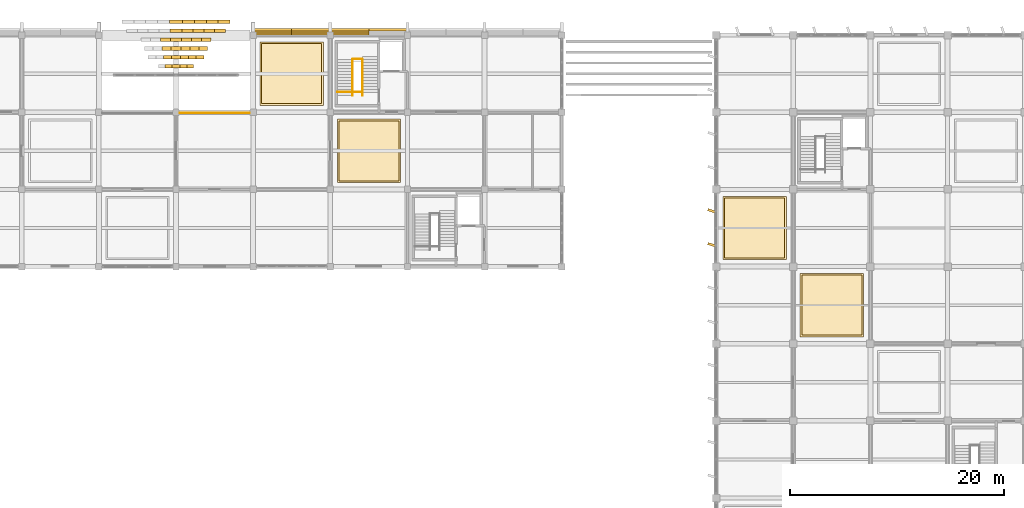
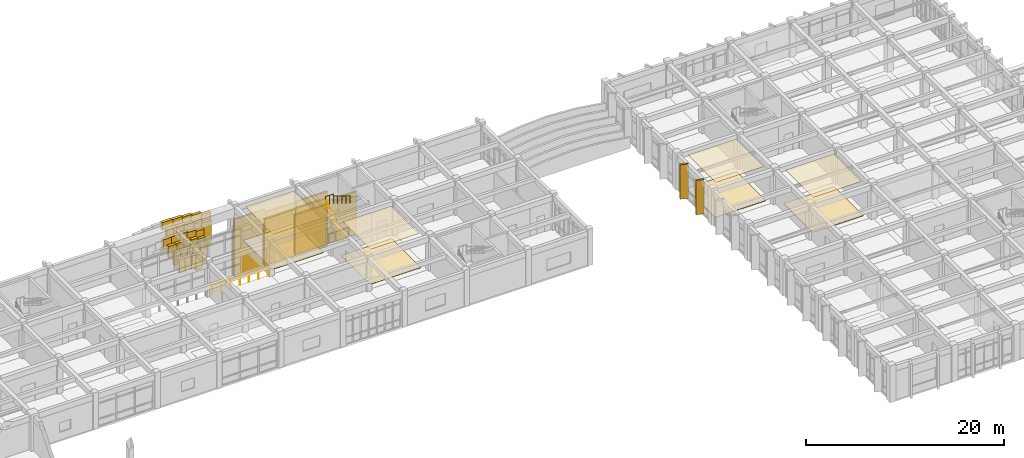
# One storey, part 78 of 81: 49 coverings, 5 railings.
"""IFC4 building model written with IfcOpenShell, lengths in metres."""

from ifc_helpers import new_model, si_unit, direction, frame, origin, origin_2d, place, context, subcontext, project, spatial, polyline, rectangle, circle, outline, extrude, material, layer, layer_set, type_object, element, save


model = new_model("IFC4")

# Units and contexts
model_context = context("Model", 3, precision=1e-05, world=origin(), true_north=direction((0.0, 1.0)))
body_context = subcontext(model_context, "Body", "Model", "MODEL_VIEW")
ifc_project = project(units=[si_unit("LENGTHUNIT", "METRE"), si_unit("AREAUNIT", "SQUARE_METRE"), si_unit("VOLUMEUNIT", "CUBIC_METRE"), si_unit("PLANEANGLEUNIT", "RADIAN"), si_unit("MASSUNIT", "GRAM", prefix="KILO")], contexts=[model_context])

# Site, building, storey
site_placement = place(None, origin())
site = spatial("IfcSite", under=ifc_project, at=site_placement, CompositionType="ELEMENT")
building_placement = place(site_placement, origin())
building = spatial("IfcBuilding", under=site, at=building_placement, Name="Kavelor Marine Aquarium", CompositionType="ELEMENT")
storey_placement = place(building_placement, frame((0.0, 0.0, 4.679931640625)))
storey = spatial("IfcBuildingStorey", under=building, at=storey_placement, Name="L01", CompositionType="ELEMENT", Elevation=4.679931640625)

# Coverings
ifc_material_1 = material(Name="Concrete C45/55", Category="concrete")
ifc_layer_1 = layer(ifc_material_1, 0.300048828125)
ifc_layer_set_1 = layer_set([ifc_layer_1], Name="COV-BND1")
covering_type_1 = type_object("IfcCoveringType", Name="COV-BND1", PredefinedType="CLADDING", material=ifc_layer_set_1)
covering_1_placement = place(storey_placement, frame((0.0, 0.0, 3.170166015625)))
element("IfcCovering", 1, at=covering_1_placement, inside=storey, type_object=covering_type_1, Name="arch:north:1:seg:05", PredefinedType="CLADDING", context=body_context, shape_type="SweptSolid", body=[
    extrude(outline(polyline([(67.385498046875, 111.8701171875), (68.614501953125, 111.8701171875), (68.614501953125, 112.2099609375), (67.385498046875, 112.2099609375), (67.385498046875, 111.8701171875)])), origin(), (0.0, 0.0, 1.0), 0.929931640625),
])
covering_2_placement = place(storey_placement, frame((0.0, 0.0, 2.994873046875)))
element("IfcCovering", 2, at=covering_2_placement, inside=storey, type_object=covering_type_1, Name="arch:north:1:seg:06", PredefinedType="CLADDING", context=body_context, shape_type="SweptSolid", body=[
    extrude(outline(polyline([(68.494384765625, 111.8701171875), (69.7236328125, 111.8701171875), (69.7236328125, 112.2099609375), (68.494384765625, 112.2099609375), (68.494384765625, 111.8701171875)])), origin(), (0.0, 0.0, 1.0), 1.067138671875),
])
covering_3_placement = place(storey_placement, frame((0.0, 0.0, 2.46923828125)))
element("IfcCovering", 3, at=covering_3_placement, inside=storey, type_object=covering_type_1, Name="arch:north:1:seg:07", PredefinedType="CLADDING", context=body_context, shape_type="SweptSolid", body=[
    extrude(outline(polyline([(69.603515625, 111.8701171875), (70.832763671875, 111.8701171875), (70.832763671875, 112.2099609375), (69.603515625, 112.2099609375), (69.603515625, 111.8701171875)])), origin(), (0.0, 0.0, 1.0), 1.478759765625),
])
covering_4_placement = place(storey_placement, frame((0.0, 0.0, 1.59326171875)))
element("IfcCovering", 4, at=covering_4_placement, inside=storey, type_object=covering_type_1, Name="arch:north:1:seg:08", PredefinedType="CLADDING", context=body_context, shape_type="SweptSolid", body=[
    extrude(outline(polyline([(70.712646484375, 111.8701171875), (71.94189453125, 111.8701171875), (71.94189453125, 112.2099609375), (70.712646484375, 112.2099609375), (70.712646484375, 111.8701171875)])), origin(), (0.0, 0.0, 1.0), 2.164794921875),
])
covering_5_placement = place(storey_placement, frame((0.0, 0.0, 0.36669921875)))
element("IfcCovering", 5, at=covering_5_placement, inside=storey, type_object=covering_type_1, Name="arch:north:1:seg:09", PredefinedType="CLADDING", context=body_context, shape_type="SweptSolid", body=[
    extrude(outline(polyline([(71.82177734375, 111.8701171875), (73.05078125, 111.8701171875), (73.05078125, 112.2099609375), (71.82177734375, 112.2099609375), (71.82177734375, 111.8701171875)])), origin(), (0.0, 0.0, 1.0), 3.125),
])
ifc_material_2 = material(Name="Concrete C45/55", Category="concrete")
ifc_layer_2 = layer(ifc_material_2, 0.320068359375)
ifc_layer_set_2 = layer_set([ifc_layer_2], Name="COV-BND2")
covering_type_2 = type_object("IfcCoveringType", Name="COV-BND2", PredefinedType="CLADDING", material=ifc_layer_set_2)
covering_6_placement = place(storey_placement, frame((0.0, 0.0, 2.670166015625)))
element("IfcCovering", 6, at=covering_6_placement, inside=storey, type_object=covering_type_2, Name="arch:north:2:seg:05", PredefinedType="CLADDING", context=body_context, shape_type="SweptSolid", body=[
    extrude(outline(polyline([(67.4326171875, 111.0400390625), (68.5673828125, 111.0400390625), (68.5673828125, 111.3798828125), (67.4326171875, 111.3798828125), (67.4326171875, 111.0400390625)])), origin(), (0.0, 0.0, 1.0), 1.0498046875),
])
covering_7_placement = place(storey_placement, frame((0.0, 0.0, 2.5068359375)))
element("IfcCovering", 7, at=covering_7_placement, inside=storey, type_object=covering_type_2, Name="arch:north:2:seg:06", PredefinedType="CLADDING", context=body_context, shape_type="SweptSolid", body=[
    extrude(outline(polyline([(68.447265625, 111.0400390625), (69.581787109375, 111.0400390625), (69.581787109375, 111.3798828125), (68.447265625, 111.3798828125), (68.447265625, 111.0400390625)])), origin(), (0.0, 0.0, 1.0), 1.17529296875),
])
covering_8_placement = place(storey_placement, frame((0.0, 0.0, 2.016845703125)))
element("IfcCovering", 8, at=covering_8_placement, inside=storey, type_object=covering_type_2, Name="arch:north:2:seg:07", PredefinedType="CLADDING", context=body_context, shape_type="SweptSolid", body=[
    extrude(outline(polyline([(69.4619140625, 111.0400390625), (70.596435546875, 111.0400390625), (70.596435546875, 111.3798828125), (69.4619140625, 111.3798828125), (69.4619140625, 111.0400390625)])), origin(), (0.0, 0.0, 1.0), 1.551025390625),
])
covering_9_placement = place(storey_placement, frame((0.0, 0.0, 1.2001953125)))
element("IfcCovering", 9, at=covering_9_placement, inside=storey, type_object=covering_type_2, Name="arch:north:2:seg:08", PredefinedType="CLADDING", context=body_context, shape_type="SweptSolid", body=[
    extrude(outline(polyline([(70.476318359375, 111.0400390625), (71.61083984375, 111.0400390625), (71.61083984375, 111.3798828125), (70.476318359375, 111.3798828125), (70.476318359375, 111.0400390625)])), origin(), (0.0, 0.0, 1.0), 2.177734375),
])
covering_10_placement = place(storey_placement, frame((0.0, 0.0, 0.05712890625)))
element("IfcCovering", 10, at=covering_10_placement, inside=storey, type_object=covering_type_2, Name="arch:north:2:seg:09", PredefinedType="CLADDING", context=body_context, shape_type="SweptSolid", body=[
    extrude(outline(polyline([(71.490966796875, 111.0400390625), (72.62548828125, 111.0400390625), (72.62548828125, 111.3798828125), (71.490966796875, 111.3798828125), (71.490966796875, 111.0400390625)])), origin(), (0.0, 0.0, 1.0), 3.0546875),
])
ifc_material_3 = material(Name="Concrete C45/55", Category="concrete")
ifc_layer_3 = layer(ifc_material_3, 0.340087890625)
ifc_layer_set_3 = layer_set([ifc_layer_3], Name="COV-BND3")
covering_type_3 = type_object("IfcCoveringType", Name="COV-BND3", PredefinedType="CLADDING", material=ifc_layer_set_3)
covering_11_placement = place(storey_placement, frame((0.0, 0.0, 2.0185546875)))
element("IfcCovering", 11, at=covering_11_placement, inside=storey, type_object=covering_type_3, Name="arch:north:3:seg:04", PredefinedType="CLADDING", context=body_context, shape_type="SweptSolid", body=[
    extrude(outline(polyline([(66.56005859375, 110.2099609375), (67.60009765625, 110.2099609375), (67.60009765625, 110.550048828125), (66.56005859375, 110.550048828125), (66.56005859375, 110.2099609375)])), origin(), (0.0, 0.0, 1.0), 1.283447265625),
])
covering_12_placement = place(storey_placement, frame((0.0, 0.0, 2.170166015625)))
element("IfcCovering", 12, at=covering_12_placement, inside=storey, type_object=covering_type_3, Name="arch:north:3:seg:05", PredefinedType="CLADDING", context=body_context, shape_type="SweptSolid", body=[
    extrude(outline(polyline([(67.47998046875, 110.2099609375), (68.52001953125, 110.2099609375), (68.52001953125, 110.550048828125), (67.47998046875, 110.550048828125), (67.47998046875, 110.2099609375)])), origin(), (0.0, 0.0, 1.0), 1.169921875),
])
covering_13_placement = place(storey_placement, frame((0.0, 0.0, 2.0185546875)))
element("IfcCovering", 13, at=covering_13_placement, inside=storey, type_object=covering_type_3, Name="arch:north:3:seg:06", PredefinedType="CLADDING", context=body_context, shape_type="SweptSolid", body=[
    extrude(outline(polyline([(68.39990234375, 110.2099609375), (69.43994140625, 110.2099609375), (69.43994140625, 110.550048828125), (68.39990234375, 110.550048828125), (68.39990234375, 110.2099609375)])), origin(), (0.0, 0.0, 1.0), 1.283447265625),
])
covering_14_placement = place(storey_placement, frame((0.0, 0.0, 1.564453125)))
element("IfcCovering", 14, at=covering_14_placement, inside=storey, type_object=covering_type_3, Name="arch:north:3:seg:07", PredefinedType="CLADDING", context=body_context, shape_type="SweptSolid", body=[
    extrude(outline(polyline([(69.320068359375, 110.2099609375), (70.360107421875, 110.2099609375), (70.360107421875, 110.550048828125), (69.320068359375, 110.550048828125), (69.320068359375, 110.2099609375)])), origin(), (0.0, 0.0, 1.0), 1.62353515625),
])
covering_15_placement = place(storey_placement, frame((0.0, 0.0, 0.807373046875)))
element("IfcCovering", 15, at=covering_15_placement, inside=storey, type_object=covering_type_3, Name="arch:north:3:seg:08", PredefinedType="CLADDING", context=body_context, shape_type="SweptSolid", body=[
    extrude(outline(polyline([(70.239990234375, 110.2099609375), (71.280029296875, 110.2099609375), (71.280029296875, 110.550048828125), (70.239990234375, 110.550048828125), (70.239990234375, 110.2099609375)])), origin(), (0.0, 0.0, 1.0), 2.190673828125),
])
ifc_material_4 = material(Name="Concrete C45/55", Category="concrete")
ifc_layer_4 = layer(ifc_material_4, 0.360107421875)
ifc_layer_set_4 = layer_set([ifc_layer_4], Name="COV-BND4")
covering_type_4 = type_object("IfcCoveringType", Name="COV-BND4", PredefinedType="CLADDING", material=ifc_layer_set_4)
covering_16_placement = place(storey_placement, frame((0.0, 0.0, -4.679931640625)))
element("IfcCovering", 16, at=covering_16_placement, inside=storey, type_object=covering_type_4, Name="band:north:4:r:00", PredefinedType="CLADDING", context=body_context, shape_type="SweptSolid", body=[
    extrude(outline(polyline([(75.199951171875, 111.18994140625), (78.800048828125, 111.18994140625), (78.800048828125, 111.409912109375), (75.199951171875, 111.409912109375), (75.199951171875, 111.18994140625)])), origin(), (0.0, 0.0, 1.0), 5.20068359375),
])
covering_17_placement = place(storey_placement, frame((0.0, 0.0, -4.679931640625)))
element("IfcCovering", 17, at=covering_17_placement, inside=storey, type_object=covering_type_4, Name="band:north:4:r:01", PredefinedType="CLADDING", context=body_context, shape_type="SweptSolid", body=[
    extrude(outline(polyline([(78.800048828125, 111.18994140625), (82.39990234375, 111.18994140625), (82.39990234375, 111.409912109375), (78.800048828125, 111.409912109375), (78.800048828125, 111.18994140625)])), origin(), (0.0, 0.0, 1.0), 4.8076171875),
])
covering_18_placement = place(storey_placement, frame((0.0, 0.0, -4.679931640625)))
element("IfcCovering", 18, at=covering_18_placement, inside=storey, type_object=covering_type_4, Name="band:north:4:r:02", PredefinedType="CLADDING", context=body_context, shape_type="SweptSolid", body=[
    extrude(outline(polyline([(82.39990234375, 111.18994140625), (86.0, 111.18994140625), (86.0, 111.409912109375), (82.39990234375, 111.409912109375), (82.39990234375, 111.18994140625)])), origin(), (0.0, 0.0, 1.0), 4.88037109375),
])
covering_19_placement = place(storey_placement, frame((0.0, 0.0, -4.679931640625)))
element("IfcCovering", 19, at=covering_19_placement, inside=storey, type_object=covering_type_4, Name="band:north:4:r:03", PredefinedType="CLADDING", context=body_context, shape_type="SweptSolid", body=[
    extrude(outline(polyline([(86.0, 111.18994140625), (89.60009765625, 111.18994140625), (89.60009765625, 111.409912109375), (86.0, 111.409912109375), (86.0, 111.18994140625)])), origin(), (0.0, 0.0, 1.0), 5.291015625),
])
covering_20_placement = place(storey_placement, frame((0.0, 0.0, 1.530517578125)))
element("IfcCovering", 20, at=covering_20_placement, inside=storey, type_object=covering_type_4, Name="arch:north:4:seg:04", PredefinedType="CLADDING", context=body_context, shape_type="SweptSolid", body=[
    extrude(outline(polyline([(66.701904296875, 109.3798828125), (67.647216796875, 109.3798828125), (67.647216796875, 109.719970703125), (66.701904296875, 109.719970703125), (66.701904296875, 109.3798828125)])), origin(), (0.0, 0.0, 1.0), 1.3916015625),
])
covering_21_placement = place(storey_placement, frame((0.0, 0.0, 1.670166015625)))
element("IfcCovering", 21, at=covering_21_placement, inside=storey, type_object=covering_type_4, Name="arch:north:4:seg:05", PredefinedType="CLADDING", context=body_context, shape_type="SweptSolid", body=[
    extrude(outline(polyline([(67.52734375, 109.3798828125), (68.47265625, 109.3798828125), (68.47265625, 109.719970703125), (67.52734375, 109.719970703125), (67.52734375, 109.3798828125)])), origin(), (0.0, 0.0, 1.0), 1.289794921875),
])
covering_22_placement = place(storey_placement, frame((0.0, 0.0, 1.530517578125)))
element("IfcCovering", 22, at=covering_22_placement, inside=storey, type_object=covering_type_4, Name="arch:north:4:seg:06", PredefinedType="CLADDING", context=body_context, shape_type="SweptSolid", body=[
    extrude(outline(polyline([(68.352783203125, 109.3798828125), (69.298095703125, 109.3798828125), (69.298095703125, 109.719970703125), (68.352783203125, 109.719970703125), (68.352783203125, 109.3798828125)])), origin(), (0.0, 0.0, 1.0), 1.3916015625),
])
covering_23_placement = place(storey_placement, frame((0.0, 0.0, 1.112060546875)))
element("IfcCovering", 23, at=covering_23_placement, inside=storey, type_object=covering_type_4, Name="arch:north:4:seg:07", PredefinedType="CLADDING", context=body_context, shape_type="SweptSolid", body=[
    extrude(outline(polyline([(69.17822265625, 109.3798828125), (70.12353515625, 109.3798828125), (70.12353515625, 109.719970703125), (69.17822265625, 109.719970703125), (69.17822265625, 109.3798828125)])), origin(), (0.0, 0.0, 1.0), 1.69580078125),
])
covering_24_placement = place(storey_placement, frame((0.0, 0.0, 0.41455078125)))
element("IfcCovering", 24, at=covering_24_placement, inside=storey, type_object=covering_type_4, Name="arch:north:4:seg:08", PredefinedType="CLADDING", context=body_context, shape_type="SweptSolid", body=[
    extrude(outline(polyline([(70.003662109375, 109.3798828125), (70.94921875, 109.3798828125), (70.94921875, 109.719970703125), (70.003662109375, 109.719970703125), (70.003662109375, 109.3798828125)])), origin(), (0.0, 0.0, 1.0), 2.203369140625),
])
ifc_material_5 = material(Name="Concrete C45/55", Category="concrete")
ifc_layer_5 = layer(ifc_material_5, 0.3798828125)
ifc_layer_set_5 = layer_set([ifc_layer_5], Name="COV-BND5")
covering_type_5 = type_object("IfcCoveringType", Name="COV-BND5", PredefinedType="CLADDING", material=ifc_layer_set_5)
covering_25_placement = place(storey_placement, frame((0.0, 0.0, -4.679931640625)))
element("IfcCovering", 25, at=covering_25_placement, inside=storey, type_object=covering_type_5, Name="band:north:5:r:00", PredefinedType="CLADDING", context=body_context, shape_type="SweptSolid", body=[
    extrude(outline(polyline([(75.199951171875, 110.97998046875), (78.800048828125, 110.97998046875), (78.800048828125, 111.199951171875), (75.199951171875, 111.199951171875), (75.199951171875, 110.97998046875)])), origin(), (0.0, 0.0, 1.0), 6.16064453125),
])
covering_26_placement = place(storey_placement, frame((0.0, 0.0, -4.679931640625)))
element("IfcCovering", 26, at=covering_26_placement, inside=storey, type_object=covering_type_5, Name="band:north:5:r:01", PredefinedType="CLADDING", context=body_context, shape_type="SweptSolid", body=[
    extrude(outline(polyline([(78.800048828125, 110.97998046875), (82.39990234375, 110.97998046875), (82.39990234375, 111.199951171875), (78.800048828125, 111.199951171875), (78.800048828125, 110.97998046875)])), origin(), (0.0, 0.0, 1.0), 5.767578125),
])
covering_27_placement = place(storey_placement, frame((0.0, 0.0, -4.679931640625)))
element("IfcCovering", 27, at=covering_27_placement, inside=storey, type_object=covering_type_5, Name="band:north:5:r:02", PredefinedType="CLADDING", context=body_context, shape_type="SweptSolid", body=[
    extrude(outline(polyline([(82.39990234375, 110.97998046875), (86.0, 110.97998046875), (86.0, 111.199951171875), (82.39990234375, 111.199951171875), (82.39990234375, 110.97998046875)])), origin(), (0.0, 0.0, 1.0), 5.84033203125),
])
covering_28_placement = place(storey_placement, frame((0.0, 0.0, 1.04248046875)))
element("IfcCovering", 28, at=covering_28_placement, inside=storey, type_object=covering_type_5, Name="arch:north:5:seg:04", PredefinedType="CLADDING", context=body_context, shape_type="SweptSolid", body=[
    extrude(outline(polyline([(66.843505859375, 108.550048828125), (67.694580078125, 108.550048828125), (67.694580078125, 108.889892578125), (66.843505859375, 108.889892578125), (66.843505859375, 108.550048828125)])), origin(), (0.0, 0.0, 1.0), 1.49951171875),
])
covering_29_placement = place(storey_placement, frame((0.0, 0.0, 1.170166015625)))
element("IfcCovering", 29, at=covering_29_placement, inside=storey, type_object=covering_type_5, Name="arch:north:5:seg:05", PredefinedType="CLADDING", context=body_context, shape_type="SweptSolid", body=[
    extrude(outline(polyline([(67.574462890625, 108.550048828125), (68.425537109375, 108.550048828125), (68.425537109375, 108.889892578125), (67.574462890625, 108.889892578125), (67.574462890625, 108.550048828125)])), origin(), (0.0, 0.0, 1.0), 1.409912109375),
])
covering_30_placement = place(storey_placement, frame((0.0, 0.0, 1.04248046875)))
element("IfcCovering", 30, at=covering_30_placement, inside=storey, type_object=covering_type_5, Name="arch:north:5:seg:06", PredefinedType="CLADDING", context=body_context, shape_type="SweptSolid", body=[
    extrude(outline(polyline([(68.305419921875, 108.550048828125), (69.156494140625, 108.550048828125), (69.156494140625, 108.889892578125), (68.305419921875, 108.889892578125), (68.305419921875, 108.550048828125)])), origin(), (0.0, 0.0, 1.0), 1.49951171875),
])
covering_31_placement = place(storey_placement, frame((0.0, 0.0, 0.65966796875)))
element("IfcCovering", 31, at=covering_31_placement, inside=storey, type_object=covering_type_5, Name="arch:north:5:seg:07", PredefinedType="CLADDING", context=body_context, shape_type="SweptSolid", body=[
    extrude(outline(polyline([(69.036376953125, 108.550048828125), (69.88720703125, 108.550048828125), (69.88720703125, 108.889892578125), (69.036376953125, 108.889892578125), (69.036376953125, 108.550048828125)])), origin(), (0.0, 0.0, 1.0), 1.768310546875),
])
covering_32_placement = place(storey_placement, frame((0.0, 0.0, 0.021728515625)))
element("IfcCovering", 32, at=covering_32_placement, inside=storey, type_object=covering_type_5, Name="arch:north:5:seg:08", PredefinedType="CLADDING", context=body_context, shape_type="SweptSolid", body=[
    extrude(outline(polyline([(69.767333984375, 108.550048828125), (70.6181640625, 108.550048828125), (70.6181640625, 108.889892578125), (69.767333984375, 108.889892578125), (69.767333984375, 108.550048828125)])), origin(), (0.0, 0.0, 1.0), 2.21630859375),
])
ifc_material_6 = material(Name="Concrete C45/55", Category="concrete")
ifc_layer_6 = layer(ifc_material_6, 0.39990234375)
ifc_layer_set_6 = layer_set([ifc_layer_6], Name="COV-BND6")
covering_type_6 = type_object("IfcCoveringType", Name="COV-BND6", PredefinedType="CLADDING", material=ifc_layer_set_6)
covering_33_placement = place(storey_placement, frame((0.0, 0.0, -4.679931640625)))
element("IfcCovering", 33, at=covering_33_placement, inside=storey, type_object=covering_type_6, Name="band:north:6:r:00", PredefinedType="CLADDING", context=body_context, shape_type="SweptSolid", body=[
    extrude(outline(polyline([(75.199951171875, 110.800048828125), (78.800048828125, 110.800048828125), (78.800048828125, 110.989990234375), (75.199951171875, 110.989990234375), (75.199951171875, 110.800048828125)])), origin(), (0.0, 0.0, 1.0), 7.12060546875),
])
covering_34_placement = place(storey_placement, frame((0.0, 0.0, -4.679931640625)))
element("IfcCovering", 34, at=covering_34_placement, inside=storey, type_object=covering_type_6, Name="band:north:6:r:01", PredefinedType="CLADDING", context=body_context, shape_type="SweptSolid", body=[
    extrude(outline(polyline([(78.800048828125, 110.800048828125), (82.39990234375, 110.800048828125), (82.39990234375, 110.989990234375), (78.800048828125, 110.989990234375), (78.800048828125, 110.800048828125)])), origin(), (0.0, 0.0, 1.0), 6.7275390625),
])
covering_35_placement = place(storey_placement, frame((0.0, 0.0, -4.679931640625)))
element("IfcCovering", 35, at=covering_35_placement, inside=storey, type_object=covering_type_6, Name="band:north:6:r:02", PredefinedType="CLADDING", context=body_context, shape_type="SweptSolid", body=[
    extrude(outline(polyline([(82.39990234375, 110.800048828125), (86.0, 110.800048828125), (86.0, 110.989990234375), (82.39990234375, 110.989990234375), (82.39990234375, 110.800048828125)])), origin(), (0.0, 0.0, 1.0), 6.80029296875),
])
covering_36_placement = place(storey_placement, frame((0.0, 0.0, 0.554443359375)))
element("IfcCovering", 36, at=covering_36_placement, inside=storey, type_object=covering_type_6, Name="arch:north:6:seg:04", PredefinedType="CLADDING", context=body_context, shape_type="SweptSolid", body=[
    extrude(outline(polyline([(66.985595703125, 107.719970703125), (67.74169921875, 107.719970703125), (67.74169921875, 108.06005859375), (66.985595703125, 108.06005859375), (66.985595703125, 107.719970703125)])), origin(), (0.0, 0.0, 1.0), 1.607666015625),
])
covering_37_placement = place(storey_placement, frame((0.0, 0.0, 0.670166015625)))
element("IfcCovering", 37, at=covering_37_placement, inside=storey, type_object=covering_type_6, Name="arch:north:6:seg:05", PredefinedType="CLADDING", context=body_context, shape_type="SweptSolid", body=[
    extrude(outline(polyline([(67.621826171875, 107.719970703125), (68.378173828125, 107.719970703125), (68.378173828125, 108.06005859375), (67.621826171875, 108.06005859375), (67.621826171875, 107.719970703125)])), origin(), (0.0, 0.0, 1.0), 1.52978515625),
])
covering_38_placement = place(storey_placement, frame((0.0, 0.0, 0.554443359375)))
element("IfcCovering", 38, at=covering_38_placement, inside=storey, type_object=covering_type_6, Name="arch:north:6:seg:06", PredefinedType="CLADDING", context=body_context, shape_type="SweptSolid", body=[
    extrude(outline(polyline([(68.25830078125, 107.719970703125), (69.014404296875, 107.719970703125), (69.014404296875, 108.06005859375), (68.25830078125, 108.06005859375), (68.25830078125, 107.719970703125)])), origin(), (0.0, 0.0, 1.0), 1.607666015625),
])
covering_39_placement = place(storey_placement, frame((0.0, 0.0, 0.207275390625)))
element("IfcCovering", 39, at=covering_39_placement, inside=storey, type_object=covering_type_6, Name="arch:north:6:seg:07", PredefinedType="CLADDING", context=body_context, shape_type="SweptSolid", body=[
    extrude(outline(polyline([(68.89453125, 107.719970703125), (69.65087890625, 107.719970703125), (69.65087890625, 108.06005859375), (68.89453125, 108.06005859375), (68.89453125, 107.719970703125)])), origin(), (0.0, 0.0, 1.0), 1.840576171875),
])
ifc_material_7 = material(Name="Moisture-Resistant Acoustic Mineral-Fibre Ceiling")
ifc_layer_7 = layer(ifc_material_7, 0.0400390625)
ifc_layer_set_7 = layer_set([ifc_layer_7], Name="COV-CE1")
covering_type_7 = type_object("IfcCoveringType", Name="COV-CE1", PredefinedType="CEILING", material=ifc_layer_set_7)
covering_40_placement = place(storey_placement, frame((0.0, 0.0, 4.16015625)))
element("IfcCovering", 40, at=covering_40_placement, inside=storey, type_object=covering_type_7, Name="ceil:L01:10_14", PredefinedType="CEILING", context=body_context, shape_type="SweptSolid", body=[
    extrude(outline(polyline([(76.0, 104.39990234375), (81.60009765625, 104.39990234375), (81.60009765625, 110.0), (76.0, 110.0), (76.0, 104.39990234375)])), origin(), (0.0, 0.0, 1.0), 0.039794921875),
])
covering_41_placement = place(storey_placement, frame((0.0, 0.0, 4.16015625)))
element("IfcCovering", 41, at=covering_41_placement, inside=storey, type_object=covering_type_7, Name="ceil:L01:11_13", PredefinedType="CEILING", context=body_context, shape_type="SweptSolid", body=[
    extrude(outline(polyline([(83.199951171875, 97.199951171875), (88.800048828125, 97.199951171875), (88.800048828125, 102.800048828125), (83.199951171875, 102.800048828125), (83.199951171875, 97.199951171875)])), origin(), (0.0, 0.0, 1.0), 0.039794921875),
])
covering_42_placement = place(storey_placement, frame((0.0, 0.0, 4.16015625)))
element("IfcCovering", 42, at=covering_42_placement, inside=storey, type_object=covering_type_7, Name="ceil:L01:16_12", PredefinedType="CEILING", context=body_context, shape_type="SweptSolid", body=[
    extrude(outline(polyline([(119.199951171875, 90.0), (124.800048828125, 90.0), (124.800048828125, 95.60009765625), (119.199951171875, 95.60009765625), (119.199951171875, 90.0)])), origin(), (0.0, 0.0, 1.0), 0.039794921875),
])
covering_43_placement = place(storey_placement, frame((0.0, 0.0, 4.16015625)))
element("IfcCovering", 43, at=covering_43_placement, inside=storey, type_object=covering_type_7, Name="ceil:L01:17_11", PredefinedType="CEILING", context=body_context, shape_type="SweptSolid", body=[
    extrude(outline(polyline([(126.39990234375, 82.800048828125), (132.0, 82.800048828125), (132.0, 88.39990234375), (126.39990234375, 88.39990234375), (126.39990234375, 82.800048828125)])), origin(), (0.0, 0.0, 1.0), 0.039794921875),
])
ifc_material_8 = material(Name="Precast Concrete C45/55 Coastal Brise-Soleil Fin", Category="concrete")
ifc_layer_8 = layer(ifc_material_8, 0.219970703125)
ifc_layer_set_8 = layer_set([ifc_layer_8], Name="COV-CL1")
covering_type_8 = type_object("IfcCoveringType", Name="COV-CL1", PredefinedType="CLADDING", material=ifc_layer_set_8)
for number, where, z_axis, x_axis, name in (
    (44, (118.0400390625, 91.216064453125, 0.0), (0.0, 0.0, 1.0), (0.951056516295, -0.309016994375, 0.0), "fin:y:L01:16_12:0"),
    (45, (118.0400390625, 94.384033203125, 0.0), (0.0, 0.0, 1.0), (0.951056516295, -0.309016994375, 0.0), "fin:y:L01:16_12:1"),
):
    element("IfcCovering", number, at=place(storey_placement, frame(where, z_axis=z_axis, x_axis=x_axis)), inside=storey, type_object=covering_type_8, Name=name, PredefinedType="CLADDING", context=body_context, shape_type="SweptSolid", body=[
        extrude(rectangle(XDim=0.85009765625, YDim=0.219970703125, at=origin_2d()), origin(), (0.0, 0.0, 1.0), 4.239990234375),
    ])
ifc_material_9 = material(Name="Polished Coastal Terrazzo Flooring")
ifc_layer_9 = layer(ifc_material_9, 0.030029296875)
ifc_layer_set_9 = layer_set([ifc_layer_9], Name="COV-FL1")
covering_type_9 = type_object("IfcCoveringType", Name="COV-FL1", PredefinedType="FLOORING", material=ifc_layer_set_9)
covering_44_placement = place(storey_placement, origin())
element("IfcCovering", 46, at=covering_44_placement, inside=storey, type_object=covering_type_9, Name="flr:L01:10_14", PredefinedType="FLOORING", context=body_context, shape_type="SweptSolid", body=[
    extrude(outline(polyline([(75.85009765625, 104.25), (81.75, 104.25), (81.75, 110.14990234375), (75.85009765625, 110.14990234375), (75.85009765625, 104.25)])), origin(), (0.0, 0.0, 1.0), 0.030029296875),
])
covering_45_placement = place(storey_placement, origin())
element("IfcCovering", 47, at=covering_45_placement, inside=storey, type_object=covering_type_9, Name="flr:L01:11_13", PredefinedType="FLOORING", context=body_context, shape_type="SweptSolid", body=[
    extrude(outline(polyline([(83.050048828125, 97.050048828125), (88.949951171875, 97.050048828125), (88.949951171875, 102.949951171875), (83.050048828125, 102.949951171875), (83.050048828125, 97.050048828125)])), origin(), (0.0, 0.0, 1.0), 0.030029296875),
])
covering_46_placement = place(storey_placement, origin())
element("IfcCovering", 48, at=covering_46_placement, inside=storey, type_object=covering_type_9, Name="flr:L01:16_12", PredefinedType="FLOORING", context=body_context, shape_type="SweptSolid", body=[
    extrude(outline(polyline([(119.050048828125, 89.85009765625), (124.949951171875, 89.85009765625), (124.949951171875, 95.75), (119.050048828125, 95.75), (119.050048828125, 89.85009765625)])), origin(), (0.0, 0.0, 1.0), 0.030029296875),
])
covering_47_placement = place(storey_placement, origin())
element("IfcCovering", 49, at=covering_47_placement, inside=storey, type_object=covering_type_9, Name="flr:L01:17_11", PredefinedType="FLOORING", context=body_context, shape_type="SweptSolid", body=[
    extrude(outline(polyline([(126.25, 82.64990234375), (132.14990234375, 82.64990234375), (132.14990234375, 88.550048828125), (126.25, 88.550048828125), (126.25, 82.64990234375)])), origin(), (0.0, 0.0, 1.0), 0.030029296875),
])

# Railings
ifc_material_10 = material(Name="Laminated Glass and Stainless Steel Gallery Balustrade", Category="steel")
railing_type_1 = type_object("IfcRailingType", Name="RL-BL1", PredefinedType="BALUSTRADE", material=ifc_material_10)
railing_1_placement = place(storey_placement, frame((68.35009765625, 103.52001953125, 0.0)))
element("IfcRailing", 50, at=railing_1_placement, inside=storey, type_object=railing_type_1, Name="Gallery Void Balustrade BL1 (L01)", PredefinedType="BALUSTRADE", context=body_context, shape_type="SweptSolid", body=[
    extrude(circle(Radius=0.02392578125, at=origin_2d()), frame((0.0, 0.0, 1.09619140625), z_axis=(1.0, 0.0, 0.0), x_axis=(0.0, 1.0, 0.0)), (0.0, 0.0, 1.0), 6.5),
    extrude(circle(Radius=0.0224609375, at=origin_2d()), origin(), (0.0, 0.0, 1.0), 1.072021484375),
    extrude(circle(Radius=0.0224609375, at=origin_2d()), frame((1.083251953125, 0.0, 0.0)), (0.0, 0.0, 1.0), 1.072021484375),
    extrude(circle(Radius=0.0224609375, at=origin_2d()), frame((2.166748046875, 0.0, 0.0)), (0.0, 0.0, 1.0), 1.072021484375),
    extrude(circle(Radius=0.0224609375, at=origin_2d()), frame((3.25, 0.0, 0.0)), (0.0, 0.0, 1.0), 1.072021484375),
    extrude(circle(Radius=0.0224609375, at=origin_2d()), frame((4.333251953125, 0.0, 0.0)), (0.0, 0.0, 1.0), 1.072021484375),
    extrude(circle(Radius=0.0224609375, at=origin_2d()), frame((5.416748046875, 0.0, 0.0)), (0.0, 0.0, 1.0), 1.072021484375),
    extrude(circle(Radius=0.0224609375, at=origin_2d()), frame((6.5, 0.0, 0.0)), (0.0, 0.0, 1.0), 1.072021484375),
])
ifc_material_11 = material(Name="Brushed Stainless Steel Wall and Flight Handrail", Category="steel")
railing_type_2 = type_object("IfcRailingType", Name="RL-HR1", PredefinedType="HANDRAIL", material=ifc_material_11)
railing_2_placement = place(storey_placement, frame((84.489990234375, 105.159912109375, 0.0)))
element("IfcRailing", 51, at=railing_2_placement, inside=storey, type_object=railing_type_2, Name="Stair Handrail ST06-1", PredefinedType="HANDRAIL", context=body_context, shape_type="SweptSolid", body=[
    extrude(circle(Radius=0.02001953125, at=origin_2d()), frame((0.0, 0.0, 0.8798828125), z_axis=(0.0, 0.850623216509, 0.525775754039), x_axis=(-1.0, 0.0, 0.0)), (0.0, 0.0, 1.0), 3.9501953125),
    extrude(circle(Radius=0.01806640625, at=origin_2d()), origin(), (0.0, 0.0, 1.0), 0.85986328125),
    extrude(circle(Radius=0.01806640625, at=origin_2d()), frame((0.0, 0.840087890625, 0.519287109375)), (0.0, 0.0, 1.0), 0.85986328125),
    extrude(circle(Radius=0.01806640625, at=origin_2d()), frame((0.0, 1.68017578125, 1.03857421875)), (0.0, 0.0, 1.0), 0.85986328125),
    extrude(circle(Radius=0.01806640625, at=origin_2d()), frame((0.0, 2.52001953125, 1.5576171875)), (0.0, 0.0, 1.0), 0.85986328125),
    extrude(circle(Radius=0.01806640625, at=origin_2d()), frame((0.0, 3.360107421875, 2.076904296875)), (0.0, 0.0, 1.0), 0.85986328125),
])
railing_3_placement = place(storey_placement, frame((85.389892578125, 108.52001953125, 2.25)))
element("IfcRailing", 52, at=railing_3_placement, inside=storey, type_object=railing_type_2, Name="Stair Handrail ST06-2", PredefinedType="HANDRAIL", context=body_context, shape_type="SweptSolid", body=[
    extrude(circle(Radius=0.02001953125, at=origin_2d()), frame((0.0, 0.0, 0.8798828125), z_axis=(0.0, -0.850623216509, 0.525775754039), x_axis=(1.0, 0.0, 0.0)), (0.0, 0.0, 1.0), 3.9501953125),
    extrude(circle(Radius=0.01806640625, at=origin_2d()), origin(), (0.0, 0.0, 1.0), 0.85986328125),
    extrude(circle(Radius=0.01806640625, at=origin_2d()), frame((0.0, -0.840087890625, 0.519287109375)), (0.0, 0.0, 1.0), 0.85986328125),
    extrude(circle(Radius=0.01806640625, at=origin_2d()), frame((0.0, -1.68017578125, 1.03857421875)), (0.0, 0.0, 1.0), 0.85986328125),
    extrude(circle(Radius=0.01806640625, at=origin_2d()), frame((0.0, -2.52001953125, 1.5576171875)), (0.0, 0.0, 1.0), 0.85986328125),
    extrude(circle(Radius=0.01806640625, at=origin_2d()), frame((0.0, -3.360107421875, 2.076904296875)), (0.0, 0.0, 1.0), 0.85986328125),
])
ifc_material_12 = material(Name="Brushed Stainless Steel Stair Guardrail", Category="steel")
railing_type_3 = type_object("IfcRailingType", Name="RL-SG1", PredefinedType="GUARDRAIL", material=ifc_material_12)
railing_4_placement = place(storey_placement, frame((84.489990234375, 108.550048828125, 2.25)))
element("IfcRailing", 53, at=railing_4_placement, inside=storey, type_object=railing_type_3, Name="Landing Guardrail ST06-M", PredefinedType="GUARDRAIL", context=body_context, shape_type="SweptSolid", body=[
    extrude(circle(Radius=0.0224609375, at=origin_2d()), frame((0.0, 0.0, 1.09765625), z_axis=(1.0, 0.0, 0.0), x_axis=(0.0, 1.0, 0.0)), (0.0, 0.0, 1.0), 0.89990234375),
    extrude(circle(Radius=0.02099609375, at=origin_2d()), origin(), (0.0, 0.0, 1.0), 1.0751953125),
    extrude(circle(Radius=0.02099609375, at=origin_2d()), frame((0.449951171875, 0.0, 0.0)), (0.0, 0.0, 1.0), 1.0751953125),
    extrude(circle(Radius=0.02099609375, at=origin_2d()), frame((0.89990234375, 0.0, 0.0)), (0.0, 0.0, 1.0), 1.0751953125),
])
railing_5_placement = place(storey_placement, frame((83.080078125, 105.47998046875, 0.0)))
element("IfcRailing", 54, at=railing_5_placement, inside=storey, type_object=railing_type_3, Name="Stairwell Guardrail ST06-W", PredefinedType="GUARDRAIL", context=body_context, shape_type="SweptSolid", body=[
    extrude(circle(Radius=0.0224609375, at=origin_2d()), frame((0.0, 0.0, 1.09765625), z_axis=(1.0, 0.0, 0.0), x_axis=(0.0, 1.0, 0.0)), (0.0, 0.0, 1.0), 2.2998046875),
    extrude(circle(Radius=0.02099609375, at=origin_2d()), origin(), (0.0, 0.0, 1.0), 1.0751953125),
    extrude(circle(Radius=0.02099609375, at=origin_2d()), frame((0.7666015625, 0.0, 0.0)), (0.0, 0.0, 1.0), 1.0751953125),
    extrude(circle(Radius=0.02099609375, at=origin_2d()), frame((1.533203125, 0.0, 0.0)), (0.0, 0.0, 1.0), 1.0751953125),
    extrude(circle(Radius=0.02099609375, at=origin_2d()), frame((2.2998046875, 0.0, 0.0)), (0.0, 0.0, 1.0), 1.0751953125),
])

save(model, "model.ifc")
